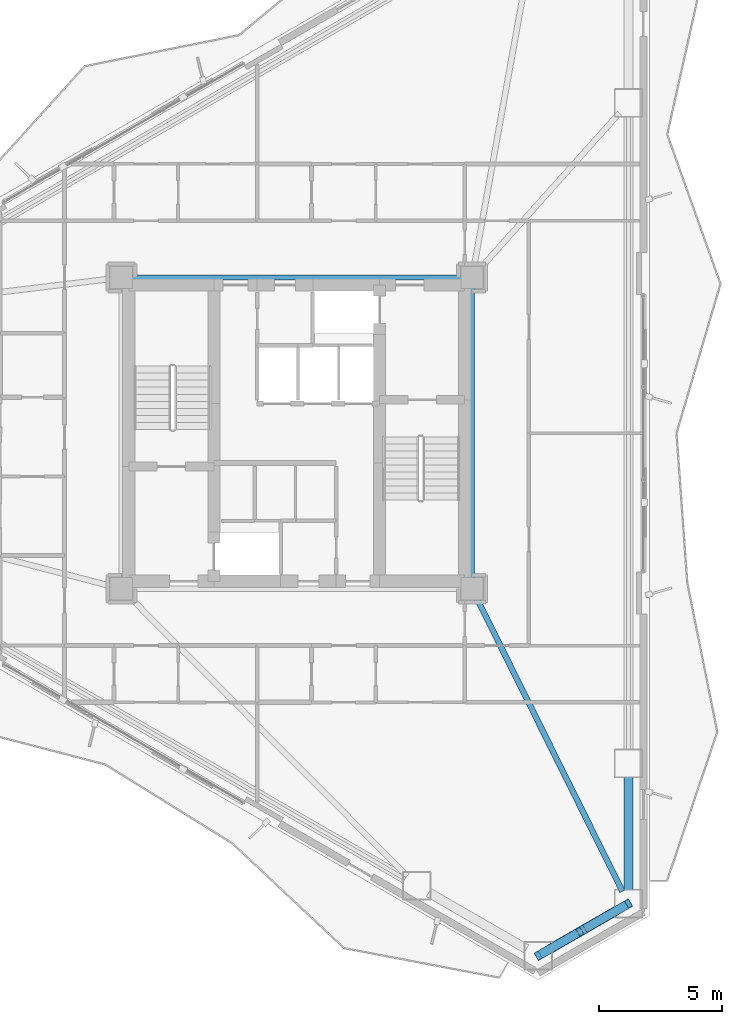
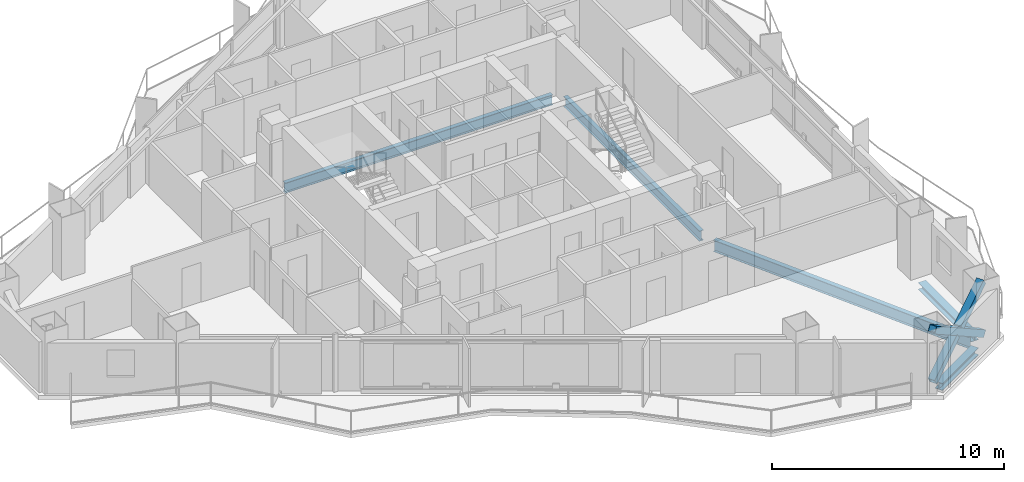
# One storey, part 7 of 23: 5 beams, 3 members.
"""IFC4 building model written with IfcOpenShell, lengths in metres."""

from ifc_helpers import new_model, si_unit, direction, frame, origin, origin_2d, place, context, subcontext, project, spatial, hollow_rectangle, i_section, extrude, material, material_profile, profile_set, type_object, element, save


model = new_model("IFC4")

# Units and contexts
model_context = context("Model", 3, precision=1e-05, world=origin(), true_north=direction((0.0, 1.0)))
body_context = subcontext(model_context, "Body", "Model", "MODEL_VIEW")
ifc_project = project(units=[si_unit("LENGTHUNIT", "METRE"), si_unit("AREAUNIT", "SQUARE_METRE"), si_unit("VOLUMEUNIT", "CUBIC_METRE"), si_unit("PLANEANGLEUNIT", "RADIAN"), si_unit("MASSUNIT", "GRAM", prefix="KILO")], contexts=[model_context])

# Site, building, storey
site_placement = place(None, origin())
site = spatial("IfcSite", under=ifc_project, at=site_placement, CompositionType="ELEMENT")
building_placement = place(site_placement, origin())
building = spatial("IfcBuilding", under=site, at=building_placement, Name="Mersakhor Tower and Convention Hall", CompositionType="ELEMENT")
storey_placement = place(building_placement, frame((0.0, 0.0, 93.300048828125)))
storey = spatial("IfcBuildingStorey", under=building, at=storey_placement, Name="L25", CompositionType="ELEMENT", Elevation=93.300048828125)

# Beams
ifc_material_1 = material(Name="Steel S355", Category="steel")
ifc_material_profile_1 = material_profile(ifc_material_1, i_section(OverallWidth=0.2099609375, OverallDepth=0.53662109375, WebThickness=0.0107421875, FlangeThickness=0.017333984375, at=origin_2d()), Name="UB 533x210x101")
ifc_profile_set_1 = profile_set([ifc_material_profile_1], Name="Steel S355")
beam_type_1 = type_object("IfcBeamType", Name="BM-FB-533", PredefinedType="BEAM", material=ifc_profile_set_1)
beam_1_placement = place(storey_placement, frame((22.330078125, 33.050048828125, -0.5185546875), z_axis=(1.0, 0.0, 0.0), x_axis=(0.0, 1.0, 0.0)))
element("IfcBeam", 1, at=beam_1_placement, inside=storey, type_object=beam_type_1, Name="L25 Core Ring Tie Beam CRB-2", PredefinedType="BEAM", context=body_context, shape_type="SweptSolid", body=[
    extrude(i_section(OverallWidth=0.2099609375, OverallDepth=0.53662109375, WebThickness=0.0107421875, FlangeThickness=0.017333984375, at=origin_2d()), origin(), (0.0, 0.0, 1.0), 13.33984375),
])
beam_2_placement = place(storey_placement, frame((36.10009765625, 32.6201171875, -0.5185546875), z_axis=(0.0, -1.0, 0.0), x_axis=(1.0, 0.0, 0.0)))
element("IfcBeam", 2, at=beam_2_placement, inside=storey, type_object=beam_type_1, Name="L25 Core Ring Tie Beam CRB-3", PredefinedType="BEAM", context=body_context, shape_type="SweptSolid", body=[
    extrude(i_section(OverallWidth=0.2099609375, OverallDepth=0.53662109375, WebThickness=0.0107421875, FlangeThickness=0.017333984375, at=origin_2d()), origin(), (0.0, 0.0, 1.0), 11.740234375),
])
ifc_material_2 = material(Name="Steel S355", Category="steel")
ifc_material_profile_2 = material_profile(ifc_material_2, i_section(OverallWidth=0.22900390625, OverallDepth=0.6123046875, WebThickness=0.011962890625, FlangeThickness=0.01953125, at=origin_2d()), Name="UB 610x229x125")
ifc_profile_set_2 = profile_set([ifc_material_profile_2], Name="Steel S355")
beam_type_2 = type_object("IfcBeamType", Name="BM-PR-610", PredefinedType="BEAM", material=ifc_profile_set_2)
beam_3_placement = place(storey_placement, frame((36.291259765625, 20.06494140625, -0.55615234375), z_axis=(0.444993792004, -0.895533653794, 0.0), x_axis=(0.895533653794, 0.444993792004, 0.0)))
element("IfcBeam", 3, at=beam_3_placement, inside=storey, type_object=beam_type_2, Name="L25 Primary Floor Girder FG-4", PredefinedType="BEAM", context=body_context, shape_type="SweptSolid", body=[
    extrude(i_section(OverallWidth=0.22900390625, OverallDepth=0.6123046875, WebThickness=0.011962890625, FlangeThickness=0.01953125, at=origin_2d()), origin(), (0.0, 0.0, 1.0), 13.250244140625),
])
ifc_material_3 = material(Name="Steel S355", Category="steel")
ifc_material_profile_3 = material_profile(ifc_material_3, i_section(OverallWidth=0.374755859375, OverallDepth=0.37451171875, WebThickness=0.0166015625, FlangeThickness=0.027099609375, at=origin_2d()), Name="UC 356x368x202")
ifc_profile_set_3 = profile_set([ifc_material_profile_3], Name="Steel S355")
beam_type_3 = type_object("IfcBeamType", Name="BM-SPD-UC356", PredefinedType="SPANDREL", material=ifc_profile_set_3)
beam_4_placement = place(storey_placement, frame((42.4345703125, 12.8232421875, -0.437255859375), z_axis=(0.0, -1.0, 0.0), x_axis=(1.0, 0.0, 0.0)))
element("IfcBeam", 4, at=beam_4_placement, inside=storey, type_object=beam_type_3, Name="L25 Perimeter Spandrel Beam SPB-07", PredefinedType="SPANDREL", context=body_context, shape_type="SweptSolid", body=[
    extrude(i_section(OverallWidth=0.374755859375, OverallDepth=0.37451171875, WebThickness=0.0166015625, FlangeThickness=0.027099609375, at=origin_2d()), origin(), (0.0, 0.0, 1.0), 4.566162109375),
])
beam_5_placement = place(storey_placement, frame((41.9541015625, 7.424560546875, -0.437255859375), z_axis=(-0.866052319632, -0.499953377486, 0.0), x_axis=(0.499953377486, -0.866052319632, 0.0)))
element("IfcBeam", 5, at=beam_5_placement, inside=storey, type_object=beam_type_3, Name="L25 Perimeter Spandrel Beam SPB-08", PredefinedType="SPANDREL", context=body_context, shape_type="SweptSolid", body=[
    extrude(i_section(OverallWidth=0.374755859375, OverallDepth=0.37451171875, WebThickness=0.0166015625, FlangeThickness=0.027099609375, at=origin_2d()), origin(), (0.0, 0.0, 1.0), 3.111572265625),
])

# Members
ifc_material_4 = material(Name="Steel S460", Category="steel")
ifc_material_profile_4 = material_profile(ifc_material_4, hollow_rectangle(XDim=0.35009765625, YDim=0.35009765625, WallThickness=0.02001953125, at=origin_2d()), Name="SHS 350x350x20")
ifc_profile_set_4 = profile_set([ifc_material_profile_4], Name="Steel S460")
member_type = type_object("IfcMemberType", Name="MB-BRC-SHS350", PredefinedType="BRACE", material=ifc_profile_set_4)
member_placement = place(storey_placement, frame((42.4345703125, 7.701904296875, 0.14990234375), z_axis=(-0.725633725484, -0.418933054415, 0.545848689986), x_axis=(0.49998946241, -0.866031487579, 0.0)))
element("IfcMember", 6, at=member_placement, inside=storey, type_object=member_type, Name="L25 Chamfer Braced Frame Diagonal CB-2A", PredefinedType="BRACE", context=body_context, shape_type="SweptSolid", body=[
    extrude(hollow_rectangle(XDim=0.35009765625, YDim=0.35009765625, WallThickness=0.02001953125, at=origin_2d()), origin(), (0.0, 0.0, 1.0), 5.0380859375),
])
for number, where, z_axis, x_axis, name in (
    (7, (38.77880859375, 5.59130859375, 0.14990234375), (0.725593346201, 0.41889491121, 0.545931634283), (-0.499976186015, 0.866039152359, 0.0), "L25 Chamfer Braced Frame Diagonal CB-2B Lower Half"),
    (8, (40.751220703125, 6.730224609375, 1.6337890625), (0.725684866011, 0.418886985747, 0.545816057307), (-0.499921796684, 0.866070549782, 0.0), "L25 Chamfer Braced Frame Diagonal CB-2B Upper Half"),
):
    element("IfcMember", number, at=place(storey_placement, frame(where, z_axis=z_axis, x_axis=x_axis)), inside=storey, type_object=member_type, Name=name, PredefinedType="BRACE", context=body_context, shape_type="SweptSolid", body=[
        extrude(hollow_rectangle(XDim=0.35009765625, YDim=0.35009765625, WallThickness=0.02001953125, at=origin_2d()), origin(), (0.0, 0.0, 1.0), 2.319580078125),
    ])

save(model, "model.ifc")
